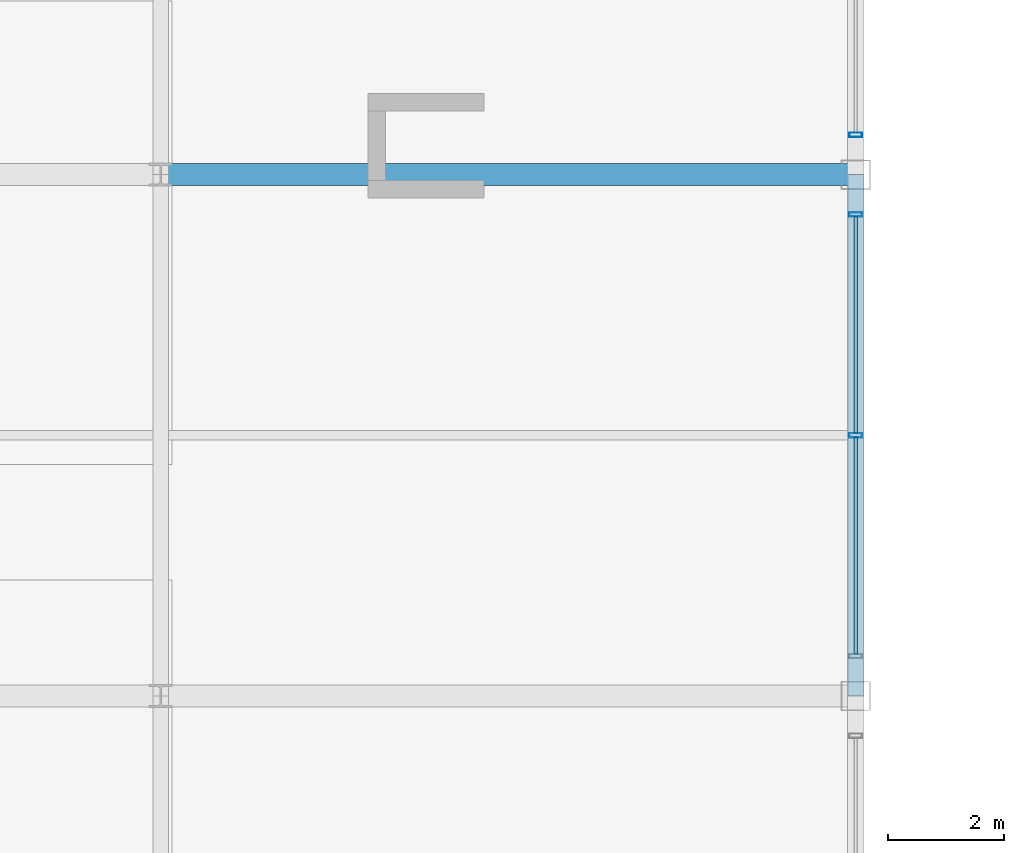
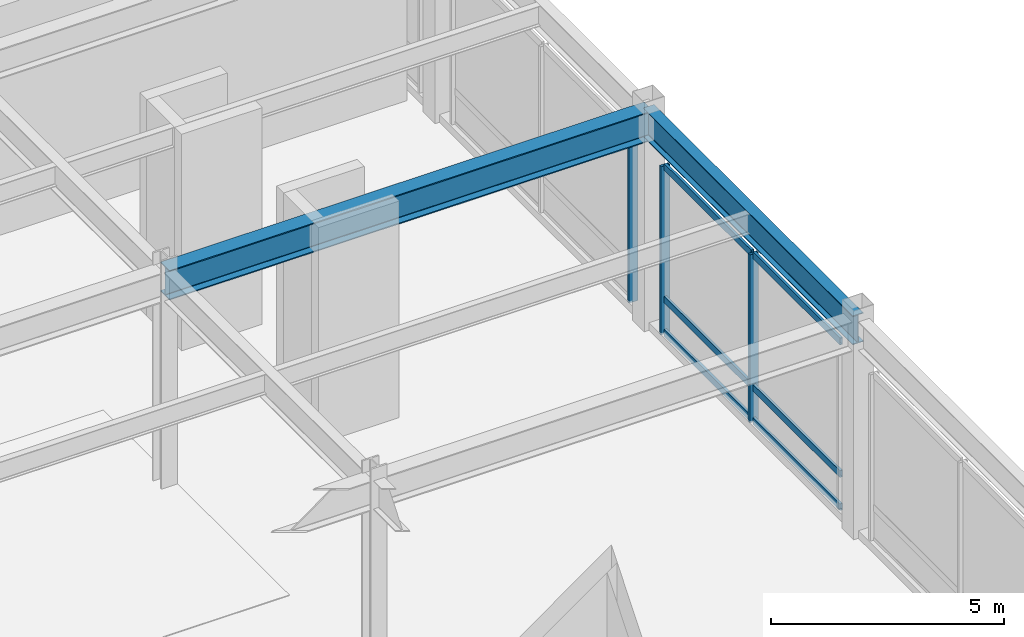
# One storey, part 50 of 105: 9 members, 2 beams, 2 elements without a shape of their own.
"""IFC4 building model written with IfcOpenShell, lengths in metres."""

from ifc_helpers import new_model, si_unit, direction, frame, origin, origin_2d, place, context, subcontext, project, spatial, hollow_rectangle, i_section, extrude, material, material_profile, profile_set, type_object, element, aggregate, save


model = new_model("IFC4")

# Units and contexts
model_context = context("Model", 3, precision=1e-05, world=origin(), true_north=direction((0.0, 1.0)))
body_context = subcontext(model_context, "Body", "Model", "MODEL_VIEW")
ifc_project = project(units=[si_unit("LENGTHUNIT", "METRE"), si_unit("AREAUNIT", "SQUARE_METRE"), si_unit("VOLUMEUNIT", "CUBIC_METRE"), si_unit("PLANEANGLEUNIT", "RADIAN"), si_unit("MASSUNIT", "GRAM", prefix="KILO")], contexts=[model_context])

# Site, building, storey
site_placement = place(None, origin())
site = spatial("IfcSite", under=ifc_project, at=site_placement, CompositionType="ELEMENT")
building_placement = place(site_placement, origin())
building = spatial("IfcBuilding", under=site, at=building_placement, Name="Kaldorvane Square Convention Centre", CompositionType="ELEMENT")
storey_placement = place(building_placement, frame((0.0, 0.0, 6.0)))
storey = spatial("IfcBuildingStorey", under=building, at=storey_placement, Name="L01", CompositionType="ELEMENT", Elevation=6.0)

# Beams
ifc_material_1 = material(Name="Steel ASTM A992 Gr. 50", Category="steel")
ifc_material_profile_1 = material_profile(ifc_material_1, i_section(OverallWidth=0.2666015625, OverallDepth=0.762298583984375, WebThickness=0.014404296875, FlangeThickness=0.0216064453125, FilletRadius=0.0164947509765625, at=origin_2d()), Name="W30X116")
ifc_profile_set_1 = profile_set([ifc_material_profile_1], Name="Steel ASTM A992 Gr. 50")
beam_type_1 = type_object("IfcBeamType", Name="BM-GR-W30X116", PredefinedType="BEAM", material=ifc_profile_set_1)
beam_1_placement = place(storey_placement, frame((138.0, 54.0, 5.2949066162109375), z_axis=(0.0, 1.0, 0.0), x_axis=(-1.0, 0.0, 0.0)))
element("IfcBeam", 1, at=beam_1_placement, inside=storey, type_object=beam_type_1, Name="Transverse Girder (L01)", PredefinedType="BEAM", context=body_context, shape_type="SweptSolid", body=[
    extrude(i_section(OverallWidth=0.2666015625, OverallDepth=0.762298583984375, WebThickness=0.014404296875, FlangeThickness=0.0216064453125, FilletRadius=0.0164947509765625, at=origin_2d()), origin(), (0.0, 0.0, 1.0), 9.0),
])
ifc_material_profile_2 = material_profile(ifc_material_1, i_section(OverallWidth=0.380706787109375, OverallDepth=0.773193359375, WebThickness=0.0166015625, FlangeThickness=0.027099609375, FilletRadius=0.0164947509765625, at=origin_2d()), Name="W30X173")
ifc_profile_set_2 = profile_set([ifc_material_profile_2], Name="Steel ASTM A992 Gr. 50")
beam_type_2 = type_object("IfcBeamType", Name="BM-GR-W30X173", PredefinedType="BEAM", material=ifc_profile_set_2)
beam_2_placement = place(storey_placement, frame((126.0, 63.0, 5.289398193359375), z_axis=(1.0, 0.0, 0.0), x_axis=(0.0, 1.0, 0.0)))
element("IfcBeam", 2, at=beam_2_placement, inside=storey, type_object=beam_type_2, Name="Primary Girder (L01)", PredefinedType="BEAM", context=body_context, shape_type="SweptSolid", body=[
    extrude(i_section(OverallWidth=0.380706787109375, OverallDepth=0.773193359375, WebThickness=0.0166015625, FlangeThickness=0.027099609375, FilletRadius=0.0164947509765625, at=origin_2d()), origin(), (0.0, 0.0, 1.0), 12.0),
])

# Curtain wall, members
ifc_material_2 = material(Name="Anodized Aluminum and Low-E Insulated Glazing", Category="aluminium")
curtain_wall_type = type_object("IfcCurtainWallType", Name="CW-PTS-FC-60", PredefinedType="USERDEFINED", material=ifc_material_2)
curtain_wall_1_placement = place(storey_placement, origin())
curtain_wall_1 = element("IfcCurtainWall", 3, at=curtain_wall_1_placement, inside=storey, type_object=curtain_wall_type, Name="Curtain Wall CW-07 (L01)", ObjectType="POINT SUPPORTED GLAZING", PredefinedType="USERDEFINED")
ifc_material_profile_3 = material_profile(ifc_material_2, hollow_rectangle(XDim=0.0749969482421875, YDim=0.220001220703125, WallThickness=0.003997802734375, at=origin_2d()), Name="CWM-220X75")
ifc_profile_set_3 = profile_set([ifc_material_profile_3], Name="Anodized Aluminum and Low-E Insulated Glazing")
member_type_1 = type_object("IfcMemberType", Name="CW-MUL-220", PredefinedType="MULLION", material=ifc_profile_set_3)
member_1_placement = place(storey_placement, frame((138.0, 58.5, 0.149993896484375), z_axis=(0.0, 0.0, 1.0), x_axis=(0.0, 1.0, 0.0)))
member_1 = element("IfcMember", 4, at=member_1_placement, type_object=member_type_1, Name="CW-07 mullion 2", PredefinedType="MULLION", context=body_context, shape_type="SweptSolid", body=[
    extrude(hollow_rectangle(XDim=0.0749969482421875, YDim=0.220001220703125, WallThickness=0.003997802734375, at=origin_2d()), origin(), (0.0, 0.0, 1.0), 4.410003662109375),
])
member_2_placement = place(storey_placement, frame((138.0, 62.3125, 0.149993896484375), z_axis=(0.0, 0.0, 1.0), x_axis=(0.0, 1.0, 0.0)))
member_2 = element("IfcMember", 5, at=member_2_placement, type_object=member_type_1, Name="CW-07 mullion 3", PredefinedType="MULLION", context=body_context, shape_type="SweptSolid", body=[
    extrude(hollow_rectangle(XDim=0.0749969482421875, YDim=0.220001220703125, WallThickness=0.003997802734375, at=origin_2d()), origin(), (0.0, 0.0, 1.0), 4.410003662109375),
])

# Curtain wall, member
curtain_wall_2_placement = place(storey_placement, origin())
curtain_wall_2 = element("IfcCurtainWall", 6, at=curtain_wall_2_placement, inside=storey, type_object=curtain_wall_type, Name="Curtain Wall CW-07 (L01)", ObjectType="POINT SUPPORTED GLAZING", PredefinedType="USERDEFINED")
member_3_placement = place(storey_placement, frame((138.0, 63.6875, 0.149993896484375), z_axis=(0.0, 0.0, 1.0), x_axis=(0.0, 1.0, 0.0)))
member_3 = element("IfcMember", 7, at=member_3_placement, type_object=member_type_1, Name="CW-07 mullion 1", PredefinedType="MULLION", context=body_context, shape_type="SweptSolid", body=[
    extrude(hollow_rectangle(XDim=0.0749969482421875, YDim=0.220001220703125, WallThickness=0.003997802734375, at=origin_2d()), origin(), (0.0, 0.0, 1.0), 4.410003662109375),
])
aggregate(curtain_wall_2, [member_3])

# Member
ifc_material_profile_4 = material_profile(ifc_material_2, hollow_rectangle(XDim=0.06500244140625, YDim=0.17999267578125, WallThickness=0.0034942626953125, at=origin_2d()), Name="CWT-180X65")
ifc_profile_set_4 = profile_set([ifc_material_profile_4], Name="Anodized Aluminum and Low-E Insulated Glazing")
member_type_2 = type_object("IfcMemberType", Name="CW-TRN-180", PredefinedType="USERDEFINED", material=ifc_profile_set_4)
member_4_placement = place(storey_placement, frame((138.0, 54.725006103515625, 0.1824951171875), z_axis=(0.0, 1.0, 0.0), x_axis=(-1.0, 0.0, 0.0)))
member_4 = element("IfcMember", 8, at=member_4_placement, type_object=member_type_2, Name="CW-07 transom 1.1", ObjectType="TRANSOM", PredefinedType="USERDEFINED", context=body_context, shape_type="SweptSolid", body=[
    extrude(hollow_rectangle(XDim=0.06500244140625, YDim=0.17999267578125, WallThickness=0.0034942626953125, at=origin_2d()), origin(), (0.0, 0.0, 1.0), 3.73748779296875),
])

member_5_placement = place(storey_placement, frame((138.0, 54.725006103515625, 1.0500030517578125), z_axis=(0.0, 1.0, 0.0), x_axis=(-1.0, 0.0, 0.0)))
member_5 = element("IfcMember", 9, at=member_5_placement, type_object=member_type_2, Name="CW-07 transom 1.2", ObjectType="TRANSOM", PredefinedType="USERDEFINED", context=body_context, shape_type="SweptSolid", body=[
    extrude(hollow_rectangle(XDim=0.06500244140625, YDim=0.17999267578125, WallThickness=0.0034942626953125, at=origin_2d()), origin(), (0.0, 0.0, 1.0), 3.73748779296875),
])

member_6_placement = place(storey_placement, frame((138.0, 54.725006103515625, 4.527496337890625), z_axis=(0.0, 1.0, 0.0), x_axis=(-1.0, 0.0, 0.0)))
member_6 = element("IfcMember", 10, at=member_6_placement, type_object=member_type_2, Name="CW-07 transom 1.3", ObjectType="TRANSOM", PredefinedType="USERDEFINED", context=body_context, shape_type="SweptSolid", body=[
    extrude(hollow_rectangle(XDim=0.06500244140625, YDim=0.17999267578125, WallThickness=0.0034942626953125, at=origin_2d()), origin(), (0.0, 0.0, 1.0), 3.73748779296875),
])

member_7_placement = place(storey_placement, frame((138.0, 58.537506103515625, 0.1824951171875), z_axis=(0.0, 1.0, 0.0), x_axis=(-1.0, 0.0, 0.0)))
member_7 = element("IfcMember", 11, at=member_7_placement, type_object=member_type_2, Name="CW-07 transom 2.1", ObjectType="TRANSOM", PredefinedType="USERDEFINED", context=body_context, shape_type="SweptSolid", body=[
    extrude(hollow_rectangle(XDim=0.06500244140625, YDim=0.17999267578125, WallThickness=0.0034942626953125, at=origin_2d()), origin(), (0.0, 0.0, 1.0), 3.73748779296875),
])

member_8_placement = place(storey_placement, frame((138.0, 58.537506103515625, 1.0500030517578125), z_axis=(0.0, 1.0, 0.0), x_axis=(-1.0, 0.0, 0.0)))
member_8 = element("IfcMember", 12, at=member_8_placement, type_object=member_type_2, Name="CW-07 transom 2.2", ObjectType="TRANSOM", PredefinedType="USERDEFINED", context=body_context, shape_type="SweptSolid", body=[
    extrude(hollow_rectangle(XDim=0.06500244140625, YDim=0.17999267578125, WallThickness=0.0034942626953125, at=origin_2d()), origin(), (0.0, 0.0, 1.0), 3.73748779296875),
])

member_9_placement = place(storey_placement, frame((138.0, 58.537506103515625, 4.527496337890625), z_axis=(0.0, 1.0, 0.0), x_axis=(-1.0, 0.0, 0.0)))
member_9 = element("IfcMember", 13, at=member_9_placement, type_object=member_type_2, Name="CW-07 transom 2.3", ObjectType="TRANSOM", PredefinedType="USERDEFINED", context=body_context, shape_type="SweptSolid", body=[
    extrude(hollow_rectangle(XDim=0.06500244140625, YDim=0.17999267578125, WallThickness=0.0034942626953125, at=origin_2d()), origin(), (0.0, 0.0, 1.0), 3.73748779296875),
])

aggregate(curtain_wall_1, [member_1, member_2, member_4, member_5, member_6, member_7, member_8, member_9])

save(model, "model.ifc")
